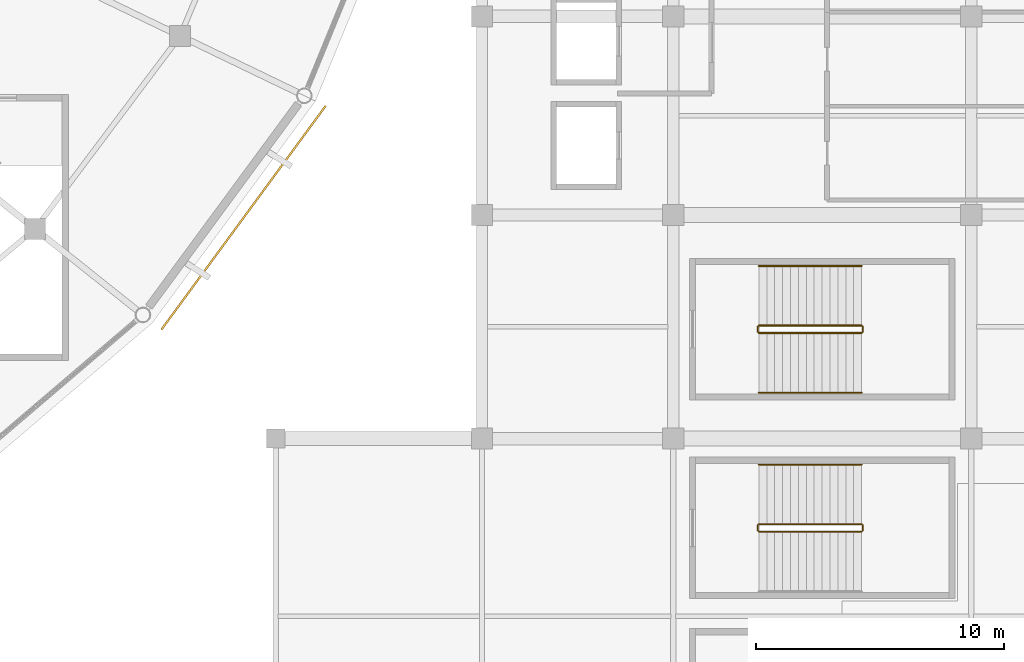
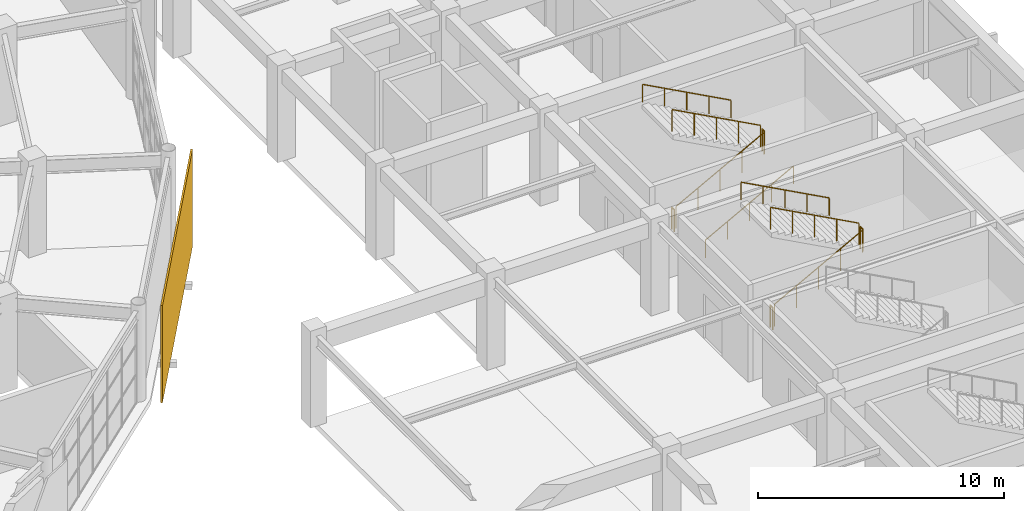
# One storey, part 106 of 112: 11 railings, 1 covering.
"""IFC4 building model written with IfcOpenShell, lengths in metres."""

from ifc_helpers import new_model, si_unit, direction, frame, frame_2d, origin, origin_2d, place, context, subcontext, project, spatial, rectangle, circle, extrude, material, layer, layer_set, type_object, element, save


model = new_model("IFC4")

# Units and contexts
model_context = context("Model", 3, precision=1e-05, world=origin(), true_north=direction((0.0, 1.0)))
body_context = subcontext(model_context, "Body", "Model", "MODEL_VIEW")
ifc_project = project(units=[si_unit("LENGTHUNIT", "METRE"), si_unit("AREAUNIT", "SQUARE_METRE"), si_unit("VOLUMEUNIT", "CUBIC_METRE"), si_unit("PLANEANGLEUNIT", "RADIAN"), si_unit("MASSUNIT", "GRAM", prefix="KILO")], contexts=[model_context])

# Site, building, storey
site_placement = place(None, origin())
site = spatial("IfcSite", under=ifc_project, at=site_placement, CompositionType="ELEMENT")
building_placement = place(site_placement, origin())
building = spatial("IfcBuilding", under=site, at=building_placement, Name="Cuetzalor Civic Arena", CompositionType="ELEMENT")
storey_placement = place(building_placement, frame((0.0, 0.0, 11.39990234375)))
storey = spatial("IfcBuildingStorey", under=building, at=storey_placement, Name="L02", CompositionType="ELEMENT", Elevation=11.39990234375)

# Railings
ifc_material_1 = material(Name="Reseda-green architectural Steel S355 balustrade", Category="steel")
railing_type_1 = type_object("IfcRailingType", Name="InteriorVoidBalustrade_1100", PredefinedType="BALUSTRADE", material=ifc_material_1)
railing_1_placement = place(storey_placement, frame((67.449951171875, -37.75, 0.171630859375)))
element("IfcRailing", 1, at=railing_1_placement, inside=storey, type_object=railing_type_1, Name="L02 ST-20 stair guard 1", PredefinedType="BALUSTRADE", context=body_context, shape_type="SweptSolid", body=[
    extrude(circle(Radius=0.02392578125, at=origin_2d()), frame((0.0, 0.0, 1.0810546875), z_axis=(0.880248997335, 0.0, 0.474512068014), x_axis=(0.0, 1.0, 0.0)), (0.0, 0.0, 1.0), 4.696533203125),
    extrude(circle(Radius=0.02099609375, at=origin_2d()), origin(), (0.0, 0.0, 1.0), 1.056884765625),
    extrude(circle(Radius=0.02099609375, at=origin_2d()), frame((1.033447265625, 0.0, 0.55712890625)), (0.0, 0.0, 1.0), 1.056884765625),
    extrude(circle(Radius=0.02099609375, at=origin_2d()), frame((2.06689453125, 0.0, 1.1142578125)), (0.0, 0.0, 1.0), 1.056884765625),
    extrude(circle(Radius=0.02099609375, at=origin_2d()), frame((3.1005859375, 0.0, 1.67138671875)), (0.0, 0.0, 1.0), 1.056884765625),
    extrude(circle(Radius=0.02099609375, at=origin_2d()), frame((4.134033203125, 0.0, 2.228515625)), (0.0, 0.0, 1.0), 1.056884765625),
])
railing_2_placement = place(storey_placement, frame((71.634033203125, -37.699951171875, 2.400146484375)))
element("IfcRailing", 2, at=railing_2_placement, inside=storey, type_object=railing_type_1, Name="L02 ST-20 stair guard 2", PredefinedType="BALUSTRADE", context=body_context, shape_type="SweptSolid", body=[
    extrude(circle(Radius=0.02392578125, at=origin_2d()), frame((0.0, 0.0, 1.0810546875), z_axis=(0.0, 1.0, 0.0), x_axis=(-1.0, 0.0, 0.0)), (0.0, 0.0, 1.0), 0.199951171875),
    extrude(circle(Radius=0.02099609375, at=origin_2d()), origin(), (0.0, 0.0, 1.0), 1.056884765625),
    extrude(circle(Radius=0.02099609375, at=origin_2d()), frame((0.0, 0.199951171875, 0.0)), (0.0, 0.0, 1.0), 1.056884765625),
])
railing_3_placement = place(storey_placement, frame((71.583984375, -37.449951171875, 2.571533203125)))
element("IfcRailing", 3, at=railing_3_placement, inside=storey, type_object=railing_type_1, Name="L02 ST-20 stair guard 3", PredefinedType="BALUSTRADE", context=body_context, shape_type="SweptSolid", body=[
    extrude(circle(Radius=0.02392578125, at=origin_2d()), frame((0.0, 0.0, 1.0810546875), z_axis=(-0.880248997335, 0.0, 0.474512068014), x_axis=(0.0, -1.0, 0.0)), (0.0, 0.0, 1.0), 4.696533203125),
    extrude(circle(Radius=0.02099609375, at=origin_2d()), origin(), (0.0, 0.0, 1.0), 1.056884765625),
    extrude(circle(Radius=0.02099609375, at=origin_2d()), frame((-1.033447265625, 0.0, 0.55712890625)), (0.0, 0.0, 1.0), 1.056884765625),
    extrude(circle(Radius=0.02099609375, at=origin_2d()), frame((-2.06689453125, 0.0, 1.1142578125)), (0.0, 0.0, 1.0), 1.056884765625),
    extrude(circle(Radius=0.02099609375, at=origin_2d()), frame((-3.1005859375, 0.0, 1.67138671875)), (0.0, 0.0, 1.0), 1.056884765625),
    extrude(circle(Radius=0.02099609375, at=origin_2d()), frame((-4.134033203125, 0.0, 2.228515625)), (0.0, 0.0, 1.0), 1.056884765625),
])
railing_4_placement = place(storey_placement, frame((67.39990234375, -37.699951171875, 0.0)))
element("IfcRailing", 4, at=railing_4_placement, inside=storey, type_object=railing_type_1, Name="L02 ST-20 stair guard 4", PredefinedType="BALUSTRADE", context=body_context, shape_type="SweptSolid", body=[
    extrude(circle(Radius=0.02392578125, at=origin_2d()), frame((0.0, 0.0, 1.0810546875), z_axis=(0.0, 1.0, 0.0), x_axis=(-1.0, 0.0, 0.0)), (0.0, 0.0, 1.0), 0.199951171875),
    extrude(circle(Radius=0.02099609375, at=origin_2d()), origin(), (0.0, 0.0, 1.0), 1.056884765625),
    extrude(circle(Radius=0.02099609375, at=origin_2d()), frame((0.0, 0.199951171875, 0.0)), (0.0, 0.0, 1.0), 1.056884765625),
])
railing_5_placement = place(storey_placement, frame((67.449951171875, -29.75, 0.171630859375)))
element("IfcRailing", 5, at=railing_5_placement, inside=storey, type_object=railing_type_1, Name="L02 ST-21 stair guard 1", PredefinedType="BALUSTRADE", context=body_context, shape_type="SweptSolid", body=[
    extrude(circle(Radius=0.02392578125, at=origin_2d()), frame((0.0, 0.0, 1.0810546875), z_axis=(0.880248997335, 0.0, 0.474512068014), x_axis=(0.0, 1.0, 0.0)), (0.0, 0.0, 1.0), 4.696533203125),
    extrude(circle(Radius=0.02099609375, at=origin_2d()), origin(), (0.0, 0.0, 1.0), 1.056884765625),
    extrude(circle(Radius=0.02099609375, at=origin_2d()), frame((1.033447265625, 0.0, 0.55712890625)), (0.0, 0.0, 1.0), 1.056884765625),
    extrude(circle(Radius=0.02099609375, at=origin_2d()), frame((2.06689453125, 0.0, 1.1142578125)), (0.0, 0.0, 1.0), 1.056884765625),
    extrude(circle(Radius=0.02099609375, at=origin_2d()), frame((3.1005859375, 0.0, 1.67138671875)), (0.0, 0.0, 1.0), 1.056884765625),
    extrude(circle(Radius=0.02099609375, at=origin_2d()), frame((4.134033203125, 0.0, 2.228515625)), (0.0, 0.0, 1.0), 1.056884765625),
])
railing_6_placement = place(storey_placement, frame((71.634033203125, -29.699951171875, 2.400146484375)))
element("IfcRailing", 6, at=railing_6_placement, inside=storey, type_object=railing_type_1, Name="L02 ST-21 stair guard 2", PredefinedType="BALUSTRADE", context=body_context, shape_type="SweptSolid", body=[
    extrude(circle(Radius=0.02392578125, at=origin_2d()), frame((0.0, 0.0, 1.0810546875), z_axis=(0.0, 1.0, 0.0), x_axis=(-1.0, 0.0, 0.0)), (0.0, 0.0, 1.0), 0.199951171875),
    extrude(circle(Radius=0.02099609375, at=origin_2d()), origin(), (0.0, 0.0, 1.0), 1.056884765625),
    extrude(circle(Radius=0.02099609375, at=origin_2d()), frame((0.0, 0.199951171875, 0.0)), (0.0, 0.0, 1.0), 1.056884765625),
])
railing_7_placement = place(storey_placement, frame((71.583984375, -29.449951171875, 2.571533203125)))
element("IfcRailing", 7, at=railing_7_placement, inside=storey, type_object=railing_type_1, Name="L02 ST-21 stair guard 3", PredefinedType="BALUSTRADE", context=body_context, shape_type="SweptSolid", body=[
    extrude(circle(Radius=0.02392578125, at=origin_2d()), frame((0.0, 0.0, 1.0810546875), z_axis=(-0.880248997335, 0.0, 0.474512068014), x_axis=(0.0, -1.0, 0.0)), (0.0, 0.0, 1.0), 4.696533203125),
    extrude(circle(Radius=0.02099609375, at=origin_2d()), origin(), (0.0, 0.0, 1.0), 1.056884765625),
    extrude(circle(Radius=0.02099609375, at=origin_2d()), frame((-1.033447265625, 0.0, 0.55712890625)), (0.0, 0.0, 1.0), 1.056884765625),
    extrude(circle(Radius=0.02099609375, at=origin_2d()), frame((-2.06689453125, 0.0, 1.1142578125)), (0.0, 0.0, 1.0), 1.056884765625),
    extrude(circle(Radius=0.02099609375, at=origin_2d()), frame((-3.1005859375, 0.0, 1.67138671875)), (0.0, 0.0, 1.0), 1.056884765625),
    extrude(circle(Radius=0.02099609375, at=origin_2d()), frame((-4.134033203125, 0.0, 2.228515625)), (0.0, 0.0, 1.0), 1.056884765625),
])
railing_8_placement = place(storey_placement, frame((67.39990234375, -29.699951171875, 0.0)))
element("IfcRailing", 8, at=railing_8_placement, inside=storey, type_object=railing_type_1, Name="L02 ST-21 stair guard 4", PredefinedType="BALUSTRADE", context=body_context, shape_type="SweptSolid", body=[
    extrude(circle(Radius=0.02392578125, at=origin_2d()), frame((0.0, 0.0, 1.0810546875), z_axis=(0.0, 1.0, 0.0), x_axis=(-1.0, 0.0, 0.0)), (0.0, 0.0, 1.0), 0.199951171875),
    extrude(circle(Radius=0.02099609375, at=origin_2d()), origin(), (0.0, 0.0, 1.0), 1.056884765625),
    extrude(circle(Radius=0.02099609375, at=origin_2d()), frame((0.0, 0.199951171875, 0.0)), (0.0, 0.0, 1.0), 1.056884765625),
])
ifc_material_2 = material(Name="Galvanised steel S355", Category="steel")
railing_type_2 = type_object("IfcRailingType", Name="StairPitchHandrail_900", PredefinedType="HANDRAIL", material=ifc_material_2)
railing_9_placement = place(storey_placement, frame((71.583984375, -35.050048828125, 2.571533203125)))
element("IfcRailing", 9, at=railing_9_placement, inside=storey, type_object=railing_type_2, Name="L02 ST-20 stair handrail 2", PredefinedType="HANDRAIL", context=body_context, shape_type="SweptSolid", body=[
    extrude(circle(Radius=0.02392578125, at=origin_2d()), frame((0.0, 0.0, 0.8759765625), z_axis=(-0.880248997335, 0.0, 0.474512068014), x_axis=(0.0, -1.0, 0.0)), (0.0, 0.0, 1.0), 4.696533203125),
    extrude(circle(Radius=0.02099609375, at=origin_2d()), origin(), (0.0, 0.0, 1.0), 0.851806640625),
    extrude(circle(Radius=0.02099609375, at=origin_2d()), frame((-1.033447265625, 0.0, 0.55712890625)), (0.0, 0.0, 1.0), 0.851806640625),
    extrude(circle(Radius=0.02099609375, at=origin_2d()), frame((-2.06689453125, 0.0, 1.1142578125)), (0.0, 0.0, 1.0), 0.851806640625),
    extrude(circle(Radius=0.02099609375, at=origin_2d()), frame((-3.1005859375, 0.0, 1.67138671875)), (0.0, 0.0, 1.0), 0.851806640625),
    extrude(circle(Radius=0.02099609375, at=origin_2d()), frame((-4.134033203125, 0.0, 2.228515625)), (0.0, 0.0, 1.0), 0.851806640625),
])
railing_10_placement = place(storey_placement, frame((67.449951171875, -32.14990234375, 0.171630859375)))
element("IfcRailing", 10, at=railing_10_placement, inside=storey, type_object=railing_type_2, Name="L02 ST-21 stair handrail 1", PredefinedType="HANDRAIL", context=body_context, shape_type="SweptSolid", body=[
    extrude(circle(Radius=0.02392578125, at=origin_2d()), frame((0.0, 0.0, 0.8759765625), z_axis=(0.880248997335, 0.0, 0.474512068014), x_axis=(0.0, 1.0, 0.0)), (0.0, 0.0, 1.0), 4.696533203125),
    extrude(circle(Radius=0.02099609375, at=origin_2d()), origin(), (0.0, 0.0, 1.0), 0.851806640625),
    extrude(circle(Radius=0.02099609375, at=origin_2d()), frame((1.033447265625, 0.0, 0.55712890625)), (0.0, 0.0, 1.0), 0.851806640625),
    extrude(circle(Radius=0.02099609375, at=origin_2d()), frame((2.06689453125, 0.0, 1.1142578125)), (0.0, 0.0, 1.0), 0.851806640625),
    extrude(circle(Radius=0.02099609375, at=origin_2d()), frame((3.1005859375, 0.0, 1.67138671875)), (0.0, 0.0, 1.0), 0.851806640625),
    extrude(circle(Radius=0.02099609375, at=origin_2d()), frame((4.134033203125, 0.0, 2.228515625)), (0.0, 0.0, 1.0), 0.851806640625),
])
railing_11_placement = place(storey_placement, frame((71.583984375, -27.050048828125, 2.571533203125)))
element("IfcRailing", 11, at=railing_11_placement, inside=storey, type_object=railing_type_2, Name="L02 ST-21 stair handrail 2", PredefinedType="HANDRAIL", context=body_context, shape_type="SweptSolid", body=[
    extrude(circle(Radius=0.02392578125, at=origin_2d()), frame((0.0, 0.0, 0.8759765625), z_axis=(-0.880248997335, 0.0, 0.474512068014), x_axis=(0.0, -1.0, 0.0)), (0.0, 0.0, 1.0), 4.696533203125),
    extrude(circle(Radius=0.02099609375, at=origin_2d()), origin(), (0.0, 0.0, 1.0), 0.851806640625),
    extrude(circle(Radius=0.02099609375, at=origin_2d()), frame((-1.033447265625, 0.0, 0.55712890625)), (0.0, 0.0, 1.0), 0.851806640625),
    extrude(circle(Radius=0.02099609375, at=origin_2d()), frame((-2.06689453125, 0.0, 1.1142578125)), (0.0, 0.0, 1.0), 0.851806640625),
    extrude(circle(Radius=0.02099609375, at=origin_2d()), frame((-3.1005859375, 0.0, 1.67138671875)), (0.0, 0.0, 1.0), 0.851806640625),
    extrude(circle(Radius=0.02099609375, at=origin_2d()), frame((-4.134033203125, 0.0, 2.228515625)), (0.0, 0.0, 1.0), 0.851806640625),
])

# Covering
ifc_material_3 = material(Name="Terracotta-red perforated anodised aluminium panel", Category="masonry")
ifc_layer = layer(ifc_material_3, 0.080078125)
ifc_layer_set = layer_set([ifc_layer], Name="Terracotta-red perforated anodised aluminium panel")
covering_type = type_object("IfcCoveringType", Name="TerracottaPerforatedScreenPanel", PredefinedType="CLADDING", material=ifc_layer_set)
covering_placement = place(storey_placement, frame((50.00390625, -20.609619140625, -0.139892578125), z_axis=(0.0, 0.0, 1.0), x_axis=(-0.591819224601, -0.806070719846, 0.0)))
element("IfcCovering", 12, at=covering_placement, inside=storey, type_object=covering_type, Name="Terracotta Perforated Drum Screen L02-S26", PredefinedType="CLADDING", context=body_context, shape_type="SweptSolid", body=[
    extrude(rectangle(XDim=11.1728515625, YDim=0.080078125, at=frame_2d((5.58642578125, 0.0))), origin(), (0.0, 0.0, 1.0), 4.820068359375),
])

save(model, "model.ifc")
